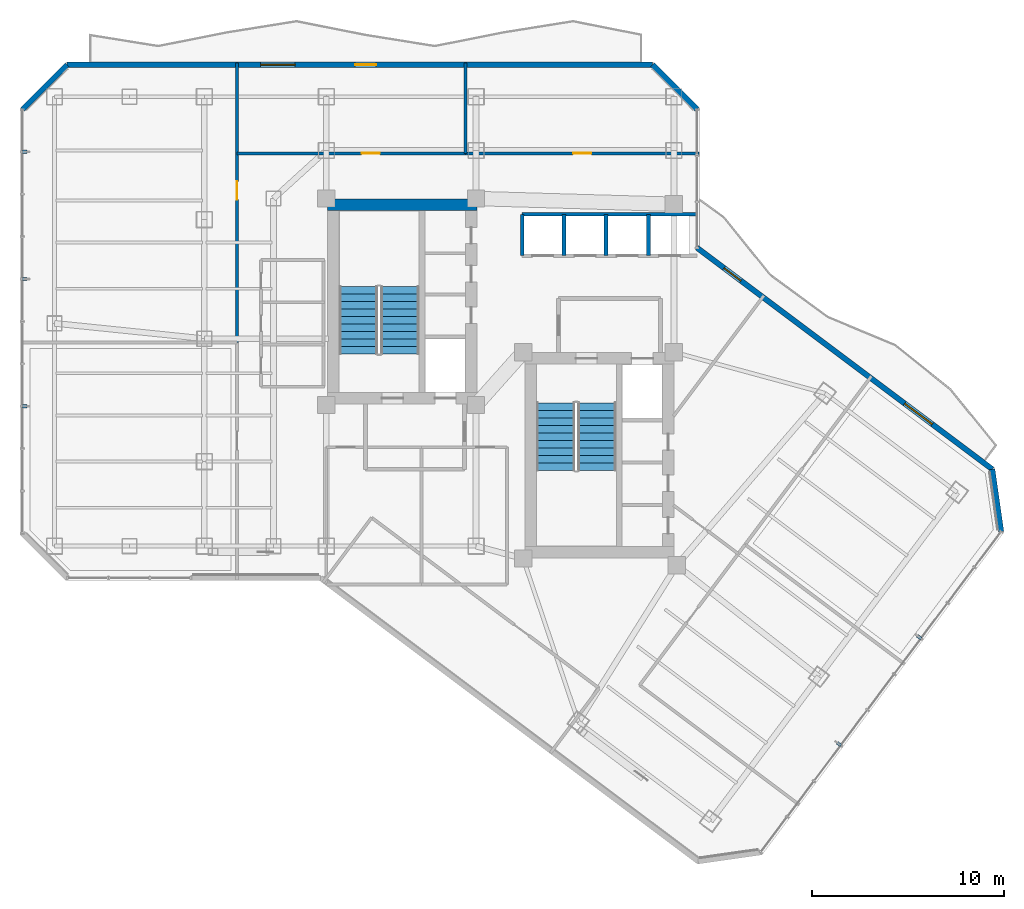
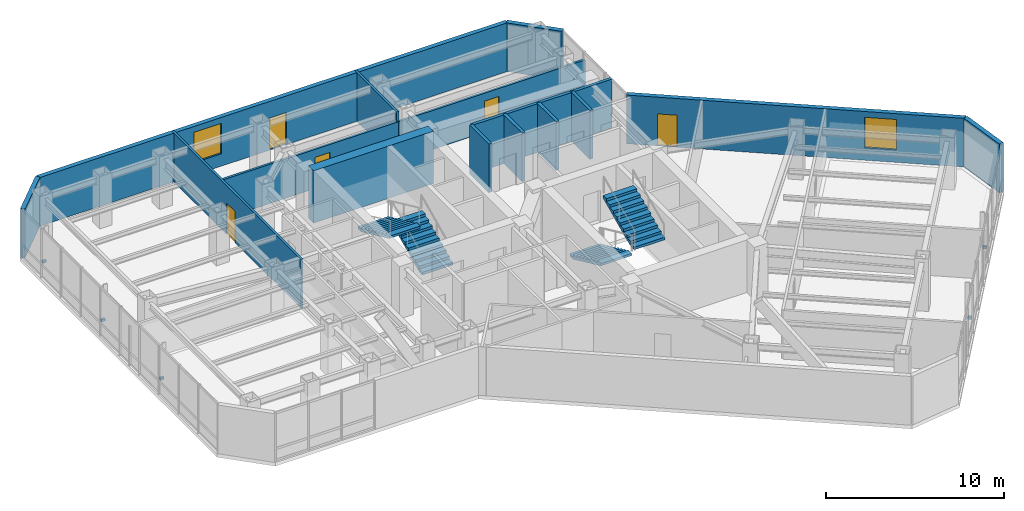
# One storey, part 24 of 28: 15 walls, 5 discrete accessories, 5 doors, 4 stair flights, 2 windows, 7 openings, 2 elements without a shape of their own.
"""IFC4 building model written with IfcOpenShell, lengths in metres."""

from ifc_helpers import new_model, si_unit, direction, frame, frame_2d, origin, origin_2d, place, context, subcontext, project, spatial, polyline, rectangle, outline, extrude, material, layer, layer_set, type_object, element, fill, aggregate, save


model = new_model("IFC4")

# Units and contexts
model_context = context("Model", 3, precision=1e-05, world=origin(), true_north=direction((0.0, 1.0)))
body_context = subcontext(model_context, "Body", "Model", "MODEL_VIEW")
ifc_project = project(units=[si_unit("LENGTHUNIT", "METRE"), si_unit("AREAUNIT", "SQUARE_METRE"), si_unit("VOLUMEUNIT", "CUBIC_METRE"), si_unit("PLANEANGLEUNIT", "RADIAN"), si_unit("MASSUNIT", "GRAM", prefix="KILO")], contexts=[model_context])

# Site, building, storey
site_placement = place(None, origin())
site = spatial("IfcSite", under=ifc_project, at=site_placement, CompositionType="ELEMENT")
building_placement = place(site_placement, origin())
building = spatial("IfcBuilding", under=site, at=building_placement, Name="Hatsunagi Terrace Concourse", CompositionType="ELEMENT")
storey_placement = place(building_placement, frame((0.0, 0.0, 138.449951171875)))
storey = spatial("IfcBuildingStorey", under=building, at=storey_placement, Name="L36", CompositionType="ELEMENT", Elevation=138.449951171875)

# Wall
ifc_material_1 = material(Name="Concrete Fc48", Category="concrete")
ifc_layer_1 = layer(ifc_material_1, 0.60009765625)
ifc_layer_set_1 = layer_set([ifc_layer_1], Name="CoreShearWall_Fc48_600")
wall_type_1 = type_object("IfcWallType", Name="CoreShearWall_Fc48_600", PredefinedType="SHEAR", material=ifc_layer_set_1)
wall_1_placement = place(storey_placement, frame((25.6201171875, 42.969970703125, 0.0), z_axis=(0.0, 0.0, 1.0), x_axis=(1.0, 0.0, 0.0)))
element("IfcWall", 1, at=wall_1_placement, inside=storey, type_object=wall_type_1, Name="Core A Shear Wall N L36", PredefinedType="SHEAR", context=body_context, shape_type="SweptSolid", body=[
    extrude(rectangle(XDim=7.77978515625, YDim=0.60009765625, at=frame_2d((3.889892578125, 0.0))), origin(), (0.0, 0.0, 1.0), 3.60009765625),
])

# Wall, opening, door
ifc_material_2 = material(Name="Acoustic mineral board", Category="gypsum")
ifc_layer_2 = layer(ifc_material_2, 0.14990234375)
ifc_layer_set_2 = layer_set([ifc_layer_2], Name="PartitionWall_EI60_150")
wall_type_2 = type_object("IfcWallType", Name="PartitionWall_EI60_150", PredefinedType="PARTITIONING", material=ifc_layer_set_2)
wall_2_placement = place(storey_placement, frame((20.89990234375, 35.800048828125, 0.0), z_axis=(0.0, 0.0, 1.0), x_axis=(0.0, 1.0, 0.0)))
wall_2 = element("IfcWall", 2, at=wall_2_placement, inside=storey, type_object=wall_type_2, Name="Interior Partition IW-L36-036", PredefinedType="PARTITIONING", context=body_context, shape_type="SweptSolid", body=[
    extrude(rectangle(XDim=14.56005859375, YDim=0.14990234375, at=frame_2d((7.280029296875, 0.0))), origin(), (0.0, 0.0, 1.0), 3.35009765625),
])
opening_1_placement = place(wall_2_placement, frame((7.447998046875, 0.0, 0.0)))
opening_1 = element("IfcOpeningElement", 3, at=opening_1_placement, cuts=wall_2, Name="Opening DR-095", PredefinedType="OPENING", context=body_context, shape_type="SweptSolid", body=[
    extrude(rectangle(XDim=0.949951171875, YDim=2.14990234375, at=frame_2d((0.47509765625, 1.074951171875))), frame((0.0, 0.0849609375, 0.0), z_axis=(0.0, -1.0, 0.0), x_axis=(1.0, 0.0, 0.0)), (0.0, 0.0, 1.0), 0.169921875),
])
ifc_material_3 = material(Name="Hardwood timber", Category="wood")
door_type_1 = type_object("IfcDoorType", Name="InteriorSuiteDoor_EI30_950", OperationType="NOTDEFINED", PredefinedType="DOOR", material=ifc_material_3)
door_1_placement = place(opening_1_placement, origin())
door_1 = element("IfcDoor", 4, at=door_1_placement, inside=storey, type_object=door_type_1, Name="Open Plan Office L36-OW2 Door", OperationType="SINGLE_SWING_LEFT", OverallHeight=2.14990234375, OverallWidth=0.949951171875, PredefinedType="DOOR", context=body_context, shape_type="SweptSolid", body=[
    extrude(rectangle(XDim=0.949951171875, YDim=2.14990234375, at=frame_2d((0.47509765625, 1.074951171875))), frame((0.0, 0.02490234375, 0.0), z_axis=(0.0, -1.0, 0.0), x_axis=(1.0, 0.0, 0.0)), (0.0, 0.0, 1.0), 0.050048828125),
])
fill(opening_1, door_1)

wall_3_placement = place(storey_placement, frame((20.89990234375, 45.64990234375, 0.0), z_axis=(0.0, 0.0, 1.0), x_axis=(1.0, 0.0, 0.0)))
wall_3 = element("IfcWall", 5, at=wall_3_placement, inside=storey, type_object=wall_type_2, Name="Interior Partition IW-L36-037", PredefinedType="PARTITIONING", context=body_context, shape_type="SweptSolid", body=[
    extrude(rectangle(XDim=11.900146484375, YDim=0.14990234375, at=frame_2d((5.9501953125, 0.0))), origin(), (0.0, 0.0, 1.0), 2.695068359375),
])
opening_2_placement = place(wall_3_placement, frame((6.493896484375, 0.0, 0.0)))
opening_2 = element("IfcOpeningElement", 6, at=opening_2_placement, cuts=wall_3, Name="Opening DR-095", PredefinedType="OPENING", context=body_context, shape_type="SweptSolid", body=[
    extrude(rectangle(XDim=0.949951171875, YDim=2.14990234375, at=frame_2d((0.47509765625, 1.074951171875))), frame((0.0, 0.0849609375, 0.0), z_axis=(0.0, -1.0, 0.0), x_axis=(1.0, 0.0, 0.0)), (0.0, 0.0, 1.0), 0.169921875),
])
door_2_placement = place(opening_2_placement, origin())
door_2 = element("IfcDoor", 7, at=door_2_placement, inside=storey, type_object=door_type_1, Name="Boardroom L36-ON1 Door", OperationType="SINGLE_SWING_RIGHT", OverallHeight=2.14990234375, OverallWidth=0.949951171875, PredefinedType="DOOR", context=body_context, shape_type="SweptSolid", body=[
    extrude(rectangle(XDim=0.949951171875, YDim=2.14990234375, at=frame_2d((0.47509765625, 1.074951171875))), frame((0.0, 0.02490234375, 0.0), z_axis=(0.0, -1.0, 0.0), x_axis=(1.0, 0.0, 0.0)), (0.0, 0.0, 1.0), 0.050048828125),
])
fill(opening_2, door_2)

# Wall
wall_4_placement = place(storey_placement, frame((32.800048828125, 45.64990234375, 0.0), z_axis=(0.0, 0.0, 1.0), x_axis=(0.0, 1.0, 0.0)))
element("IfcWall", 8, at=wall_4_placement, inside=storey, type_object=wall_type_2, Name="Interior Partition IW-L36-038", PredefinedType="PARTITIONING", context=body_context, shape_type="SweptSolid", body=[
    extrude(rectangle(XDim=4.710205078125, YDim=0.14990234375, at=frame_2d((2.35498046875, 0.0))), origin(), (0.0, 0.0, 1.0), 3.35009765625),
])

# Wall, opening, door
wall_5_placement = place(storey_placement, frame((32.800048828125, 45.64990234375, 0.0), z_axis=(0.0, 0.0, 1.0), x_axis=(1.0, 0.0, 0.0)))
wall_5 = element("IfcWall", 9, at=wall_5_placement, inside=storey, type_object=wall_type_2, Name="Interior Partition IW-L36-039", PredefinedType="PARTITIONING", context=body_context, shape_type="SweptSolid", body=[
    extrude(rectangle(XDim=12.159912109375, YDim=0.14990234375, at=frame_2d((6.080078125, 0.0))), origin(), (0.0, 0.0, 1.0), 2.695068359375),
])
opening_3_placement = place(wall_5_placement, frame((5.60498046875, 0.0, 0.0)))
opening_3 = element("IfcOpeningElement", 10, at=opening_3_placement, cuts=wall_5, Name="Opening DR-095", PredefinedType="OPENING", context=body_context, shape_type="SweptSolid", body=[
    extrude(rectangle(XDim=0.949951171875, YDim=2.14990234375, at=frame_2d((0.47509765625, 1.074951171875))), frame((0.0, 0.0849609375, 0.0), z_axis=(0.0, -1.0, 0.0), x_axis=(1.0, 0.0, 0.0)), (0.0, 0.0, 1.0), 0.169921875),
])
door_3_placement = place(opening_3_placement, origin())
door_3 = element("IfcDoor", 11, at=door_3_placement, inside=storey, type_object=door_type_1, Name="Boardroom L36-ON2 Door", OperationType="SINGLE_SWING_RIGHT", OverallHeight=2.14990234375, OverallWidth=0.949951171875, PredefinedType="DOOR", context=body_context, shape_type="SweptSolid", body=[
    extrude(rectangle(XDim=0.949951171875, YDim=2.14990234375, at=frame_2d((0.47509765625, 1.074951171875))), frame((0.0, 0.02490234375, 0.0), z_axis=(0.0, -1.0, 0.0), x_axis=(1.0, 0.0, 0.0)), (0.0, 0.0, 1.0), 0.050048828125),
])
fill(opening_3, door_3)

# Walls
ifc_material_4 = material(Name="Acoustic mineral board", Category="gypsum")
ifc_layer_3 = layer(ifc_material_4, 0.199951171875)
ifc_layer_set_3 = layer_set([ifc_layer_3], Name="ShaftWall_EI120_200")
wall_type_3 = type_object("IfcWallType", Name="ShaftWall_EI120_200", PredefinedType="STANDARD", material=ifc_layer_set_3)
wall_6_placement = place(storey_placement, frame((35.75, 42.47998046875, 0.0), z_axis=(0.0, 0.0, 1.0), x_axis=(1.0, 0.0, 0.0)))
element("IfcWall", 12, at=wall_6_placement, inside=storey, type_object=wall_type_3, Name="Interior Partition IW-L36-013", PredefinedType="STANDARD", context=body_context, shape_type="SweptSolid", body=[
    extrude(rectangle(XDim=9.110107421875, YDim=0.199951171875, at=frame_2d((4.55517578125, 0.0))), origin(), (0.0, 0.0, 1.0), 3.35009765625),
])
for number, where, z_axis, x_axis, name in (
    (13, (35.75, 40.320068359375, 0.0), (0.0, 0.0, 1.0), (0.0, 1.0, 0.0), "Interior Partition IW-L36-014"),
    (14, (37.919921875, 40.320068359375, 0.0), (0.0, 0.0, 1.0), (0.0, 1.0, 0.0), "Interior Partition IW-L36-015"),
    (15, (40.1201171875, 40.320068359375, 0.0), (0.0, 0.0, 1.0), (0.0, 1.0, 0.0), "Interior Partition IW-L36-016"),
    (16, (42.320068359375, 40.320068359375, 0.0), (0.0, 0.0, 1.0), (0.0, 1.0, 0.0), "Interior Partition IW-L36-017"),
):
    element("IfcWall", number, at=place(storey_placement, frame(where, z_axis=z_axis, x_axis=x_axis)), inside=storey, type_object=wall_type_3, Name=name, PredefinedType="STANDARD", context=body_context, shape_type="SweptSolid", body=[
        extrude(rectangle(XDim=2.159912109375, YDim=0.199951171875, at=frame_2d((1.080078125, 0.0))), origin(), (0.0, 0.0, 1.0), 3.35009765625),
    ])

# Wall, openings, door, window
ifc_material_5 = material(Name="Autoclaved Lightweight Concrete and Terracotta Cladding", Category="masonry")
ifc_layer_4 = layer(ifc_material_5, 0.280029296875)
ifc_layer_set_4 = layer_set([ifc_layer_4], Name="TerracottaSpandrelWall_280")
wall_type_4 = type_object("IfcWallType", Name="TerracottaSpandrelWall_280", PredefinedType="STANDARD", material=ifc_layer_set_4)
wall_7_placement = place(storey_placement, frame((44.860107421875, 40.72998046875, 0.0), z_axis=(0.0, 0.0, 1.0), x_axis=(0.800007624502, -0.599989833863, 0.0)))
wall_7 = element("IfcWall", 17, at=wall_7_placement, inside=storey, type_object=wall_type_4, Name="Exterior Spandrel Wall EW-L36-01", PredefinedType="STANDARD", context=body_context, shape_type="SweptSolid", body=[
    extrude(rectangle(XDim=19.212158203125, YDim=0.280029296875, at=frame_2d((9.60595703125, 0.0))), origin(), (0.0, 0.0, 1.0), 3.35009765625),
])
opening_4_placement = place(wall_7_placement, frame((1.7548828125, 0.0, 0.0)))
opening_4 = element("IfcOpeningElement", 18, at=opening_4_placement, cuts=wall_7, Name="Opening BD-01", PredefinedType="OPENING", context=body_context, shape_type="SweptSolid", body=[
    extrude(rectangle(XDim=1.10009765625, YDim=2.199951171875, at=frame_2d((0.550048828125, 1.10009765625))), frame((0.0, 0.14990234375, 0.0), z_axis=(0.0, -1.0, 0.0), x_axis=(1.0, 0.0, 0.0)), (0.0, 0.0, 1.0), 0.300048828125),
])
opening_5_placement = place(wall_7_placement, frame((13.509033203125, 0.0, 0.85009765625)))
opening_5 = element("IfcOpeningElement", 19, at=opening_5_placement, cuts=wall_7, Name="Opening WIN-03", PredefinedType="OPENING", context=body_context, shape_type="SweptSolid", body=[
    extrude(rectangle(XDim=1.800048828125, YDim=2.10009765625, at=frame_2d((0.89990234375, 1.050048828125))), frame((0.0, 0.14990234375, 0.0), z_axis=(0.0, -1.0, 0.0), x_axis=(1.0, 0.0, 0.0)), (0.0, 0.0, 1.0), 0.300048828125),
])
ifc_material_6 = material(Name="Galvanised Steel and Laminated Safety Glass", Category="steel")
door_type_2 = type_object("IfcDoorType", Name="BalconyTerraceAccessDoor_1100x2200", OperationType="SINGLE_SWING_LEFT", PredefinedType="DOOR", material=ifc_material_6)
door_4_placement = place(opening_4_placement, origin())
door_4 = element("IfcDoor", 20, at=door_4_placement, inside=storey, type_object=door_type_2, Name="Engawa Balcony Door L36-BSE", OperationType="SINGLE_SWING_LEFT", OverallHeight=2.199951171875, OverallWidth=1.10009765625, PredefinedType="DOOR", context=body_context, shape_type="SweptSolid", body=[
    extrude(rectangle(XDim=1.10009765625, YDim=2.199951171875, at=frame_2d((0.550048828125, 1.10009765625))), frame((0.0, 0.02490234375, 0.0), z_axis=(0.0, -1.0, 0.0), x_axis=(1.0, 0.0, 0.0)), (0.0, 0.0, 1.0), 0.050048828125),
])
fill(opening_4, door_4)
ifc_material_7 = material(Name="Thermally Broken Aluminium and Low-E Triple Glazing", Category="aluminium")
window_type = type_object("IfcWindowType", Name="OfficeCornerFeatureWindow_1800x2100", PartitioningType="SINGLE_PANEL", PredefinedType="WINDOW", material=ifc_material_7)
window_1_placement = place(opening_5_placement, origin())
window_1 = element("IfcWindow", 21, at=window_1_placement, inside=storey, type_object=window_type, Name="Balcony Daylighting Window L36-01-2", OverallHeight=2.10009765625, OverallWidth=1.800048828125, PartitioningType="SINGLE_PANEL", PredefinedType="WINDOW", context=body_context, shape_type="SweptSolid", body=[
    extrude(rectangle(XDim=1.800048828125, YDim=2.10009765625, at=frame_2d((0.89990234375, 1.050048828125))), frame((0.0, 0.030029296875, 0.0), z_axis=(0.0, -1.0, 0.0), x_axis=(1.0, 0.0, 0.0)), (0.0, 0.0, 1.0), 0.06005859375),
])
fill(opening_5, window_1)

# Walls
wall_8_placement = place(storey_placement, frame((60.22998046875, 29.202880859375, 0.0), z_axis=(0.0, 0.0, 1.0), x_axis=(0.141296221922, -0.989967361922, 0.0)))
element("IfcWall", 22, at=wall_8_placement, inside=storey, type_object=wall_type_4, Name="Exterior Spandrel Wall EW-L36-02", PredefinedType="STANDARD", context=body_context, shape_type="SweptSolid", body=[
    extrude(rectangle(XDim=3.27783203125, YDim=0.280029296875, at=frame_2d((1.638916015625, 0.0))), origin(), (0.0, 0.0, 1.0), 3.35009765625),
])
wall_9_placement = place(storey_placement, frame((9.739990234375, 47.94189453125, 0.0), z_axis=(0.0, 0.0, 1.0), x_axis=(0.707106781187, 0.707106781187, 0.0)))
element("IfcWall", 23, at=wall_9_placement, inside=storey, type_object=wall_type_4, Name="Exterior Spandrel Wall EW-L36-10", PredefinedType="STANDARD", context=body_context, shape_type="SweptSolid", body=[
    extrude(rectangle(XDim=3.2783203125, YDim=0.280029296875, at=frame_2d((1.63916015625, 0.0))), origin(), (0.0, 0.0, 1.0), 3.35009765625),
])

# Wall, openings, door, window
wall_10_placement = place(storey_placement, frame((12.05810546875, 50.260009765625, 0.0), z_axis=(0.0, 0.0, 1.0), x_axis=(1.0, 0.0, 0.0)))
wall_10 = element("IfcWall", 24, at=wall_10_placement, inside=storey, type_object=wall_type_4, Name="Exterior Spandrel Wall EW-L36-11", PredefinedType="STANDARD", context=body_context, shape_type="SweptSolid", body=[
    extrude(rectangle(XDim=30.48388671875, YDim=0.280029296875, at=frame_2d((15.241943359375, 0.0))), origin(), (0.0, 0.0, 1.0), 3.35009765625),
])
opening_6_placement = place(wall_10_placement, frame((14.991943359375, 0.0, 0.0)))
opening_6 = element("IfcOpeningElement", 25, at=opening_6_placement, cuts=wall_10, Name="Opening BD-01", PredefinedType="OPENING", context=body_context, shape_type="SweptSolid", body=[
    extrude(rectangle(XDim=1.10009765625, YDim=2.199951171875, at=frame_2d((0.550048828125, 1.10009765625))), frame((0.0, 0.14990234375, 0.0), z_axis=(0.0, -1.0, 0.0), x_axis=(1.0, 0.0, 0.0)), (0.0, 0.0, 1.0), 0.300048828125),
])
opening_7_placement = place(wall_10_placement, frame((10.073974609375, 0.0, 0.85009765625)))
opening_7 = element("IfcOpeningElement", 26, at=opening_7_placement, cuts=wall_10, Name="Opening WIN-03", PredefinedType="OPENING", context=body_context, shape_type="SweptSolid", body=[
    extrude(rectangle(XDim=1.800048828125, YDim=2.10009765625, at=frame_2d((0.89990234375, 1.050048828125))), frame((0.0, 0.14990234375, 0.0), z_axis=(0.0, -1.0, 0.0), x_axis=(1.0, 0.0, 0.0)), (0.0, 0.0, 1.0), 0.300048828125),
])
door_5_placement = place(opening_6_placement, origin())
door_5 = element("IfcDoor", 27, at=door_5_placement, inside=storey, type_object=door_type_2, Name="Engawa Balcony Door L36-BN", OperationType="SINGLE_SWING_RIGHT", OverallHeight=2.199951171875, OverallWidth=1.10009765625, PredefinedType="DOOR", context=body_context, shape_type="SweptSolid", body=[
    extrude(rectangle(XDim=1.10009765625, YDim=2.199951171875, at=frame_2d((0.550048828125, 1.10009765625))), frame((0.0, 0.02490234375, 0.0), z_axis=(0.0, -1.0, 0.0), x_axis=(1.0, 0.0, 0.0)), (0.0, 0.0, 1.0), 0.050048828125),
])
fill(opening_6, door_5)
window_2_placement = place(opening_7_placement, origin())
window_2 = element("IfcWindow", 28, at=window_2_placement, inside=storey, type_object=window_type, Name="Balcony Daylighting Window L36-11-1", OverallHeight=2.10009765625, OverallWidth=1.800048828125, PartitioningType="SINGLE_PANEL", PredefinedType="WINDOW", context=body_context, shape_type="SweptSolid", body=[
    extrude(rectangle(XDim=1.800048828125, YDim=2.10009765625, at=frame_2d((0.89990234375, 1.050048828125))), frame((0.0, 0.030029296875, 0.0), z_axis=(0.0, -1.0, 0.0), x_axis=(1.0, 0.0, 0.0)), (0.0, 0.0, 1.0), 0.06005859375),
])
fill(opening_7, window_2)

# Wall
wall_11_placement = place(storey_placement, frame((42.5419921875, 50.260009765625, 0.0), z_axis=(0.0, 0.0, 1.0), x_axis=(0.707106781187, -0.707106781187, 0.0)))
element("IfcWall", 29, at=wall_11_placement, inside=storey, type_object=wall_type_4, Name="Exterior Spandrel Wall EW-L36-12", PredefinedType="STANDARD", context=body_context, shape_type="SweptSolid", body=[
    extrude(rectangle(XDim=3.2783203125, YDim=0.280029296875, at=frame_2d((1.63916015625, 0.0))), origin(), (0.0, 0.0, 1.0), 3.35009765625),
])

# Stair, stair flights
ifc_material_8 = material(Name="Concrete Fc42", Category="concrete")
stair_type = type_object("IfcStairType", Name="DoglegExitStair_Tower2000_20R_180", PredefinedType="HALF_TURN_STAIR", material=ifc_material_8)
stair_1_placement = place(storey_placement, origin())
stair_1 = element("IfcStair", 30, at=stair_1_placement, inside=storey, type_object=stair_type, Name="L36 Core A Protected Exit Stair ST-A", PredefinedType="HALF_TURN_STAIR")
ifc_material_9 = material(Name="Concrete Fc42", Category="concrete")
stair_flight_type = type_object("IfcStairFlightType", Name="DoglegStairFlight_Tower2000_20R_180", PredefinedType="STRAIGHT", material=ifc_material_9)
stair_flight_1_placement = place(storey_placement, frame((29.3798828125, 35.199951171875, 0.0), z_axis=(0.0, 0.0, 1.0), x_axis=(0.0, 1.0, 0.0)))
stair_flight_1 = element("IfcStairFlight", 31, at=stair_flight_1_placement, type_object=stair_flight_type, Name="ST-A flight 1", NumberOfRisers=10, NumberOfTreads=9, PredefinedType="STRAIGHT", RiserHeight=0.18, TreadLength=0.39, context=body_context, shape_type="SweptSolid", body=[
    extrude(outline(polyline([(0.0, 0.0), (0.0, 0.179931640625), (0.389892578125, 0.179931640625), (0.389892578125, 0.360107421875), (0.780029296875, 0.360107421875), (0.780029296875, 0.5400390625), (1.169921875, 0.5400390625), (1.169921875, 0.719970703125), (1.56005859375, 0.719970703125), (1.56005859375, 0.89990234375), (1.949951171875, 0.89990234375), (1.949951171875, 1.080078125), (2.340087890625, 1.080078125), (2.340087890625, 1.260009765625), (2.72998046875, 1.260009765625), (2.72998046875, 1.43994140625), (3.1201171875, 1.43994140625), (3.1201171875, 1.6201171875), (3.510009765625, 1.6201171875), (3.510009765625, 1.800048828125), (3.510009765625, 1.454833984375), (0.357666015625, 0.0), (0.0, 0.0)])), frame((0.0, 1.0, 0.0), z_axis=(0.0, -1.0, 0.0), x_axis=(1.0, 0.0, 0.0)), (0.0, 0.0, 1.0), 2.0),
])
stair_flight_2_placement = place(storey_placement, frame((27.22998046875, 38.7099609375, 1.800048828125), z_axis=(0.0, 0.0, 1.0), x_axis=(0.0, -1.0, 0.0)))
stair_flight_2 = element("IfcStairFlight", 32, at=stair_flight_2_placement, type_object=stair_flight_type, Name="ST-A flight 2", NumberOfRisers=10, NumberOfTreads=9, PredefinedType="STRAIGHT", RiserHeight=0.18, TreadLength=0.39, context=body_context, shape_type="SweptSolid", body=[
    extrude(outline(polyline([(0.0, 0.0), (0.0, 0.179931640625), (0.389892578125, 0.179931640625), (0.389892578125, 0.360107421875), (0.780029296875, 0.360107421875), (0.780029296875, 0.5400390625), (1.169921875, 0.5400390625), (1.169921875, 0.719970703125), (1.56005859375, 0.719970703125), (1.56005859375, 0.89990234375), (1.949951171875, 0.89990234375), (1.949951171875, 1.080078125), (2.340087890625, 1.080078125), (2.340087890625, 1.260009765625), (2.72998046875, 1.260009765625), (2.72998046875, 1.43994140625), (3.1201171875, 1.43994140625), (3.1201171875, 1.6201171875), (3.510009765625, 1.6201171875), (3.510009765625, 1.800048828125), (3.510009765625, 1.454833984375), (0.357666015625, 0.0), (0.0, 0.0)])), frame((0.0, 1.0, 0.0), z_axis=(0.0, -1.0, 0.0), x_axis=(1.0, 0.0, 0.0)), (0.0, 0.0, 1.0), 2.0),
])
aggregate(stair_1, [stair_flight_1, stair_flight_2])

stair_2_placement = place(storey_placement, origin())
stair_2 = element("IfcStair", 33, at=stair_2_placement, inside=storey, type_object=stair_type, Name="L36 Core B Protected Exit Stair ST-B", PredefinedType="HALF_TURN_STAIR")
stair_flight_3_placement = place(storey_placement, frame((37.5, 32.659912109375, 0.0), z_axis=(0.0, 0.0, 1.0), x_axis=(0.0, -1.0, 0.0)))
stair_flight_3 = element("IfcStairFlight", 34, at=stair_flight_3_placement, type_object=stair_flight_type, Name="ST-B flight 1", NumberOfRisers=10, NumberOfTreads=9, PredefinedType="STRAIGHT", RiserHeight=0.18, TreadLength=0.39, context=body_context, shape_type="SweptSolid", body=[
    extrude(outline(polyline([(0.0, 0.0), (0.0, 0.179931640625), (0.389892578125, 0.179931640625), (0.389892578125, 0.360107421875), (0.780029296875, 0.360107421875), (0.780029296875, 0.5400390625), (1.169921875, 0.5400390625), (1.169921875, 0.719970703125), (1.56005859375, 0.719970703125), (1.56005859375, 0.89990234375), (1.949951171875, 0.89990234375), (1.949951171875, 1.080078125), (2.340087890625, 1.080078125), (2.340087890625, 1.260009765625), (2.72998046875, 1.260009765625), (2.72998046875, 1.43994140625), (3.1201171875, 1.43994140625), (3.1201171875, 1.6201171875), (3.510009765625, 1.6201171875), (3.510009765625, 1.800048828125), (3.510009765625, 1.454833984375), (0.357666015625, 0.0), (0.0, 0.0)])), frame((0.0, 1.0, 0.0), z_axis=(0.0, -1.0, 0.0), x_axis=(1.0, 0.0, 0.0)), (0.0, 0.0, 1.0), 2.0),
])
stair_flight_4_placement = place(storey_placement, frame((39.64990234375, 29.14990234375, 1.800048828125), z_axis=(0.0, 0.0, 1.0), x_axis=(0.0, 1.0, 0.0)))
stair_flight_4 = element("IfcStairFlight", 35, at=stair_flight_4_placement, type_object=stair_flight_type, Name="ST-B flight 2", NumberOfRisers=10, NumberOfTreads=9, PredefinedType="STRAIGHT", RiserHeight=0.18, TreadLength=0.39, context=body_context, shape_type="SweptSolid", body=[
    extrude(outline(polyline([(0.0, 0.0), (0.0, 0.179931640625), (0.389892578125, 0.179931640625), (0.389892578125, 0.360107421875), (0.780029296875, 0.360107421875), (0.780029296875, 0.5400390625), (1.169921875, 0.5400390625), (1.169921875, 0.719970703125), (1.56005859375, 0.719970703125), (1.56005859375, 0.89990234375), (1.949951171875, 0.89990234375), (1.949951171875, 1.080078125), (2.340087890625, 1.080078125), (2.340087890625, 1.260009765625), (2.72998046875, 1.260009765625), (2.72998046875, 1.43994140625), (3.1201171875, 1.43994140625), (3.1201171875, 1.6201171875), (3.510009765625, 1.6201171875), (3.510009765625, 1.800048828125), (3.510009765625, 1.454833984375), (0.357666015625, 0.0), (0.0, 0.0)])), frame((0.0, 1.0, 0.0), z_axis=(0.0, -1.0, 0.0), x_axis=(1.0, 0.0, 0.0)), (0.0, 0.0, 1.0), 2.0),
])
aggregate(stair_2, [stair_flight_3, stair_flight_4])

# Discrete accessories
ifc_material_10 = material(Name="Stainless Steel SUS316 Bracket", Category="steel")
discrete_accessory_type = type_object("IfcDiscreteAccessoryType", Name="FacadeScreenSupportBracket_SS", PredefinedType="BRACKET", material=ifc_material_10)
for number, where, z_axis, x_axis, name in (
    (36, (56.427978515625, 20.455078125, 0.97021484375), (0.0, 0.0, 1.0), (-0.599969314634, -0.800023013105, 0.0), "Terracotta Screen Bracket BRK-01"),
    (37, (52.251953125, 14.885009765625, 0.97021484375), (0.0, 0.0, 1.0), (-0.599969314634, -0.800023013105, 0.0), "Terracotta Screen Bracket BRK-01"),
    (38, (9.85009765625, 32.48291015625, 0.97021484375), (0.0, 0.0, 1.0), (0.0, 1.0, 0.0), "Terracotta Screen Bracket BRK-01"),
    (39, (9.85009765625, 39.10791015625, 0.97021484375), (0.0, 0.0, 1.0), (0.0, 1.0, 0.0), "Terracotta Screen Bracket BRK-01"),
    (40, (9.85009765625, 45.73388671875, 0.97021484375), (0.0, 0.0, 1.0), (0.0, 1.0, 0.0), "Terracotta Screen Bracket BRK-01"),
):
    element("IfcDiscreteAccessory", number, at=place(storey_placement, frame(where, z_axis=z_axis, x_axis=x_axis)), inside=storey, type_object=discrete_accessory_type, Name=name, PredefinedType="BRACKET", context=body_context, shape_type="SweptSolid", body=[
        extrude(rectangle(XDim=0.159912109375, YDim=0.239990234375, at=origin_2d()), origin(), (0.0, 0.0, 1.0), 0.159912109375),
    ])

save(model, "model.ifc")
